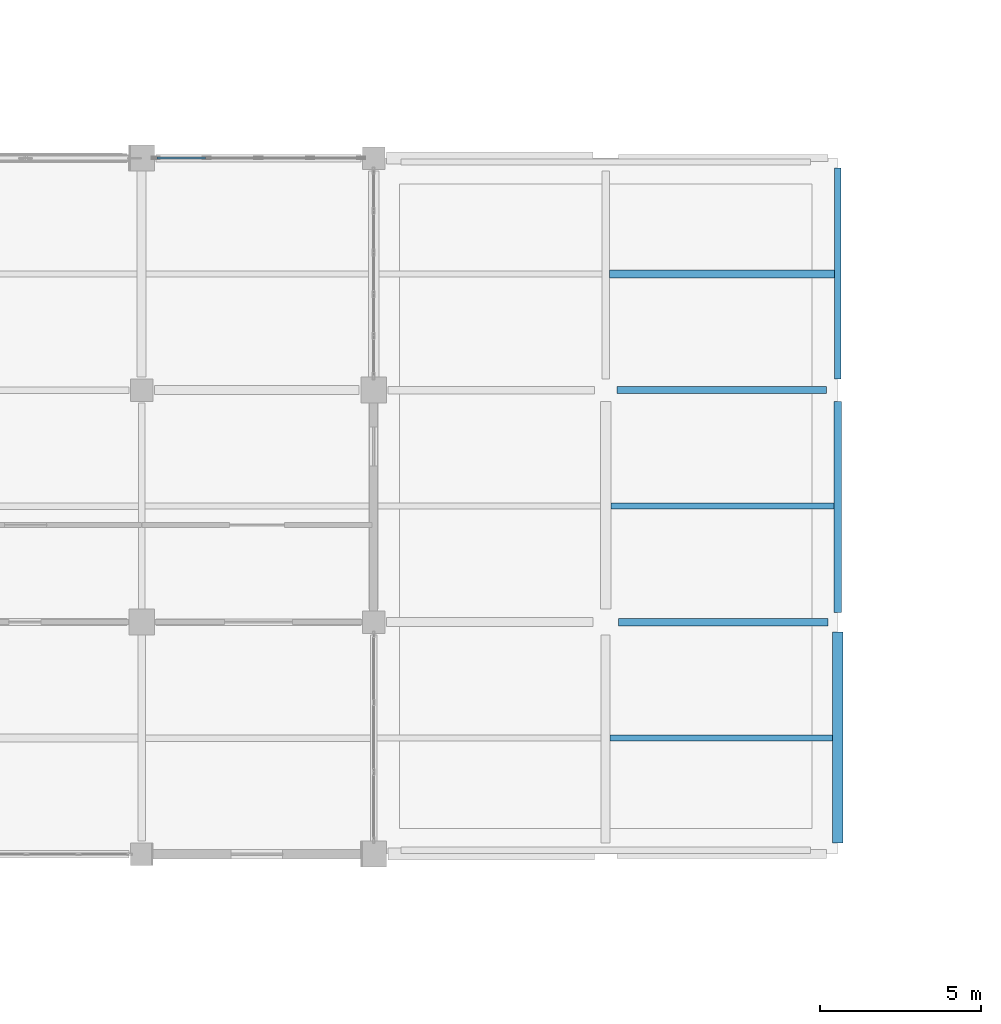
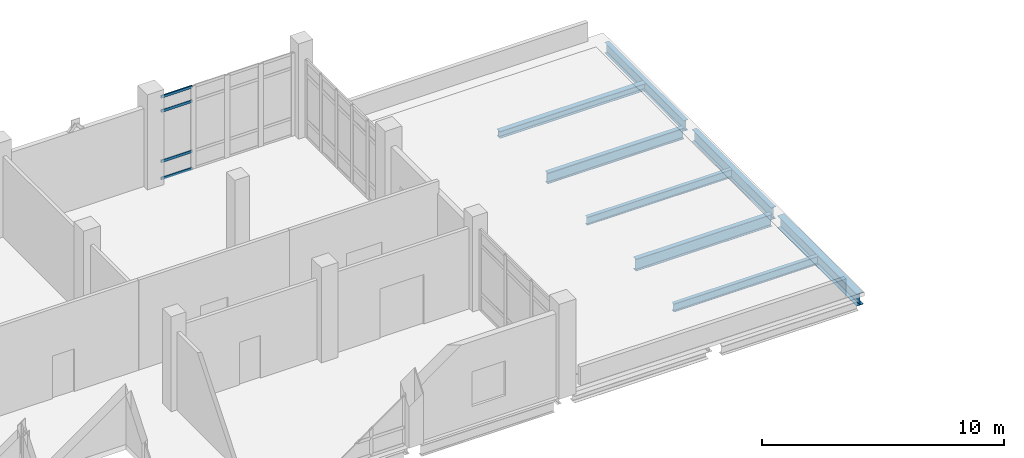
# One storey, part 93 of 153: 8 beams, 4 members, 1 element without a shape of its own.
"""IFC4 building model written with IfcOpenShell, lengths in metres."""

from ifc_helpers import new_model, si_unit, direction, frame, origin, origin_2d, place, context, subcontext, project, spatial, hollow_rectangle, i_section, extrude, material, layer, layer_set, material_profile, profile_set, type_object, element, aggregate, save


model = new_model("IFC4")

# Units and contexts
model_context = context("Model", 3, precision=1e-05, world=origin(), true_north=direction((0.0, 1.0)))
body_context = subcontext(model_context, "Body", "Model", "MODEL_VIEW")
ifc_project = project(units=[si_unit("LENGTHUNIT", "METRE"), si_unit("AREAUNIT", "SQUARE_METRE"), si_unit("VOLUMEUNIT", "CUBIC_METRE"), si_unit("PLANEANGLEUNIT", "RADIAN"), si_unit("MASSUNIT", "GRAM", prefix="KILO")], contexts=[model_context])

# Site, building, storey
site_placement = place(None, origin())
site = spatial("IfcSite", under=ifc_project, at=site_placement, CompositionType="ELEMENT")
building_placement = place(site_placement, origin())
building = spatial("IfcBuilding", under=site, at=building_placement, Name="Calvrana Isthmian Art Gallery", CompositionType="ELEMENT")
storey_placement = place(building_placement, frame((0.0, 0.0, 10.199951171875)))
storey = spatial("IfcBuildingStorey", under=building, at=storey_placement, Name="L02", CompositionType="ELEMENT", Elevation=10.199951171875)

# Beams
ifc_material_1 = material(Name="Steel ASTM A992 Gr 50", Category="steel")
ifc_material_profile_1 = material_profile(ifc_material_1, i_section(OverallWidth=0.208984375, OverallDepth=0.532958984375, WebThickness=0.01025390625, FlangeThickness=0.015625, FilletRadius=0.02099609375, at=origin_2d()), Name="W21X62")
ifc_profile_set_1 = profile_set([ifc_material_profile_1], Name="Steel ASTM A992 Gr 50")
beam_type_1 = type_object("IfcBeamType", Name="BM-G-W21X62", PredefinedType="BEAM", material=ifc_profile_set_1)
beam_1_placement = place(storey_placement, frame((148.800048828125, 91.550048828125, -0.531494140625), z_axis=(0.0, 1.0, 0.0), x_axis=(-1.0, 0.0, 0.0)))
element("IfcBeam", 1, at=beam_1_placement, inside=storey, type_object=beam_type_1, Name="Girder Y L02 20/M-N", PredefinedType="BEAM", context=body_context, shape_type="SweptSolid", body=[
    extrude(i_section(OverallWidth=0.208984375, OverallDepth=0.532958984375, WebThickness=0.01025390625, FlangeThickness=0.015625, FilletRadius=0.02099609375, at=origin_2d()), origin(), (0.0, 0.0, 1.0), 6.550048828125),
])
ifc_material_profile_2 = material_profile(ifc_material_1, i_section(OverallWidth=0.214111328125, OverallDepth=0.549072265625, WebThickness=0.0146484375, FlangeThickness=0.023681640625, FilletRadius=0.02099609375, at=origin_2d()), Name="W21X93")
ifc_profile_set_2 = profile_set([ifc_material_profile_2], Name="Steel ASTM A992 Gr 50")
beam_type_2 = type_object("IfcBeamType", Name="BM-G-W21X93", PredefinedType="BEAM", material=ifc_profile_set_2)
beam_2_placement = place(storey_placement, frame((141.949951171875, 91.199951171875, -0.53955078125), z_axis=(1.0, 0.0, 0.0), x_axis=(0.0, 1.0, 0.0)))
element("IfcBeam", 2, at=beam_2_placement, inside=storey, type_object=beam_type_2, Name="Girder X L02 19-20/M", PredefinedType="BEAM", context=body_context, shape_type="SweptSolid", body=[
    extrude(i_section(OverallWidth=0.214111328125, OverallDepth=0.549072265625, WebThickness=0.0146484375, FlangeThickness=0.023681640625, FilletRadius=0.02099609375, at=origin_2d()), origin(), (0.0, 0.0, 1.0), 6.5),
])
ifc_material_profile_3 = material_profile(ifc_material_1, i_section(OverallWidth=0.324951171875, OverallDepth=0.612060546875, WebThickness=0.0126953125, FlangeThickness=0.01904296875, FilletRadius=0.02197265625, at=origin_2d()), Name="W24X104")
ifc_profile_set_3 = profile_set([ifc_material_profile_3], Name="Steel ASTM A992 Gr 50")
beam_type_3 = type_object("IfcBeamType", Name="BM-G-W24X104", PredefinedType="BEAM", material=ifc_profile_set_3)
beam_3_placement = place(storey_placement, frame((148.800048828125, 77.14990234375, -0.571044921875), z_axis=(0.0, 1.0, 0.0), x_axis=(-1.0, 0.0, 0.0)))
element("IfcBeam", 3, at=beam_3_placement, inside=storey, type_object=beam_type_3, Name="Girder Y L02 20/K-L", PredefinedType="BEAM", context=body_context, shape_type="SweptSolid", body=[
    extrude(i_section(OverallWidth=0.324951171875, OverallDepth=0.612060546875, WebThickness=0.0126953125, FlangeThickness=0.01904296875, FilletRadius=0.02197265625, at=origin_2d()), origin(), (0.0, 0.0, 1.0), 6.550048828125),
])
ifc_material_profile_4 = material_profile(ifc_material_1, i_section(OverallWidth=0.22802734375, OverallDepth=0.60693359375, WebThickness=0.01123046875, FlangeThickness=0.017333984375, FilletRadius=0.02197265625, at=origin_2d()), Name="W24X76")
ifc_profile_set_4 = profile_set([ifc_material_profile_4], Name="Steel ASTM A992 Gr 50")
beam_type_4 = type_object("IfcBeamType", Name="BM-G-W24X76", PredefinedType="BEAM", material=ifc_profile_set_4)
beam_4_placement = place(storey_placement, frame((142.0, 84.0, -0.568359375), z_axis=(1.0, 0.0, 0.0), x_axis=(0.0, 1.0, 0.0)))
element("IfcBeam", 4, at=beam_4_placement, inside=storey, type_object=beam_type_4, Name="Girder X L02 19-20/L", PredefinedType="BEAM", context=body_context, shape_type="SweptSolid", body=[
    extrude(i_section(OverallWidth=0.22802734375, OverallDepth=0.60693359375, WebThickness=0.01123046875, FlangeThickness=0.017333984375, FilletRadius=0.02197265625, at=origin_2d()), origin(), (0.0, 0.0, 1.0), 6.5),
])
beam_5_placement = place(storey_placement, frame((148.800048828125, 84.300048828125, -0.568359375), z_axis=(0.0, 1.0, 0.0), x_axis=(-1.0, 0.0, 0.0)))
element("IfcBeam", 5, at=beam_5_placement, inside=storey, type_object=beam_type_4, Name="Girder Y L02 20/L-M", PredefinedType="BEAM", context=body_context, shape_type="SweptSolid", body=[
    extrude(i_section(OverallWidth=0.22802734375, OverallDepth=0.60693359375, WebThickness=0.01123046875, FlangeThickness=0.017333984375, FilletRadius=0.02197265625, at=origin_2d()), origin(), (0.0, 0.0, 1.0), 6.550048828125),
])
ifc_material_profile_5 = material_profile(ifc_material_1, i_section(OverallWidth=0.25390625, OverallDepth=0.35302734375, WebThickness=0.009521484375, FlangeThickness=0.016357421875, FilletRadius=0.01806640625, at=origin_2d()), Name="W14X61")
ifc_profile_set_5 = profile_set([ifc_material_profile_5], Name="Steel ASTM A992 Gr 50")
beam_type_5 = type_object("IfcBeamType", Name="BM-J-W14X61", PredefinedType="JOIST", material=ifc_profile_set_5)
beam_6_placement = place(storey_placement, frame((141.714111328125, 94.800048828125, -0.44140625), z_axis=(1.0, 0.0, 0.0), x_axis=(0.0, 1.0, 0.0)))
element("IfcBeam", 6, at=beam_6_placement, inside=storey, type_object=beam_type_5, Name="Composite joist L02 bay 18-12", PredefinedType="JOIST", context=body_context, shape_type="SweptSolid", body=[
    extrude(i_section(OverallWidth=0.25390625, OverallDepth=0.35302734375, WebThickness=0.009521484375, FlangeThickness=0.016357421875, FilletRadius=0.01806640625, at=origin_2d()), origin(), (0.0, 0.0, 1.0), 6.9814453125),
])
ifc_material_profile_6 = material_profile(ifc_material_1, i_section(OverallWidth=0.177978515625, OverallDepth=0.404052734375, WebThickness=0.007568359375, FlangeThickness=0.010986328125, FilletRadius=0.01806640625, at=origin_2d()), Name="W16X36")
ifc_profile_set_6 = profile_set([ifc_material_profile_6], Name="Steel ASTM A992 Gr 50")
beam_type_6 = type_object("IfcBeamType", Name="BM-J-W16X36", PredefinedType="JOIST", material=ifc_profile_set_6)
beam_7_placement = place(storey_placement, frame((141.762451171875, 87.60009765625, -0.467041015625), z_axis=(1.0, 0.0, 0.0), x_axis=(0.0, 1.0, 0.0)))
element("IfcBeam", 7, at=beam_7_placement, inside=storey, type_object=beam_type_6, Name="Composite joist L02 bay 18-11", PredefinedType="JOIST", context=body_context, shape_type="SweptSolid", body=[
    extrude(i_section(OverallWidth=0.177978515625, OverallDepth=0.404052734375, WebThickness=0.007568359375, FlangeThickness=0.010986328125, FilletRadius=0.01806640625, at=origin_2d()), origin(), (0.0, 0.0, 1.0), 6.923583984375),
])
ifc_material_profile_7 = material_profile(ifc_material_1, i_section(OverallWidth=0.179931640625, OverallDepth=0.4140625, WebThickness=0.009765625, FlangeThickness=0.01611328125, FilletRadius=0.01806640625, at=origin_2d()), Name="W16X50")
ifc_profile_set_7 = profile_set([ifc_material_profile_7], Name="Steel ASTM A992 Gr 50")
beam_type_7 = type_object("IfcBeamType", Name="BM-J-W16X50", PredefinedType="JOIST", material=ifc_profile_set_7)
beam_8_placement = place(storey_placement, frame((141.739501953125, 80.39990234375, -0.471923828125), z_axis=(1.0, 0.0, 0.0), x_axis=(0.0, 1.0, 0.0)))
element("IfcBeam", 8, at=beam_8_placement, inside=storey, type_object=beam_type_7, Name="Composite joist L02 bay 18-10", PredefinedType="JOIST", context=body_context, shape_type="SweptSolid", body=[
    extrude(i_section(OverallWidth=0.179931640625, OverallDepth=0.4140625, WebThickness=0.009765625, FlangeThickness=0.01611328125, FilletRadius=0.01806640625, at=origin_2d()), origin(), (0.0, 0.0, 1.0), 6.89794921875),
])

# Curtain wall, members
ifc_material_2 = material(Name="Anodized bronze aluminium 6063-T6", Category="aluminium")
ifc_layer = layer(ifc_material_2, 0.179931640625, Name="Anodized bronze aluminium 6063-T6")
ifc_layer_set = layer_set([ifc_layer], Name="Anodized bronze aluminium 6063-T6")
curtain_wall_type = type_object("IfcCurtainWallType", Name="CW-STICK-065X42", PredefinedType="NOTDEFINED", material=ifc_layer_set)
curtain_wall_placement = place(storey_placement, origin())
curtain_wall = element("IfcCurtainWall", 9, at=curtain_wall_placement, inside=storey, type_object=curtain_wall_type, Name="Curtain wall CW-161", PredefinedType="NOTDEFINED")
ifc_material_profile_8 = material_profile(ifc_material_2, hollow_rectangle(XDim=0.06005859375, YDim=0.1298828125, WallThickness=0.00390625, at=origin_2d()), Name="CWT60X130")
ifc_profile_set_8 = profile_set([ifc_material_profile_8], Name="Anodized bronze aluminium 6063-T6")
member_type = type_object("IfcMemberType", Name="CWT-CWT60X130", PredefinedType="USERDEFINED", material=ifc_profile_set_8)
member_1_placement = place(storey_placement, frame((127.679931640625, 98.39990234375, 0.030029296875), z_axis=(1.0, 0.0, 0.0), x_axis=(0.0, 1.0, 0.0)))
member_1 = element("IfcMember", 10, at=member_1_placement, type_object=member_type, Name="CW-161 transom 1.1", ObjectType="TRANSOM", PredefinedType="USERDEFINED", context=body_context, shape_type="SweptSolid", body=[
    extrude(hollow_rectangle(XDim=0.06005859375, YDim=0.1298828125, WallThickness=0.00390625, at=origin_2d()), origin(), (0.0, 0.0, 1.0), 1.49267578125),
])
member_2_placement = place(storey_placement, frame((127.679931640625, 98.39990234375, 0.900146484375), z_axis=(1.0, 0.0, 0.0), x_axis=(0.0, 1.0, 0.0)))
member_2 = element("IfcMember", 11, at=member_2_placement, type_object=member_type, Name="CW-161 transom 1.2", ObjectType="TRANSOM", PredefinedType="USERDEFINED", context=body_context, shape_type="SweptSolid", body=[
    extrude(hollow_rectangle(XDim=0.06005859375, YDim=0.1298828125, WallThickness=0.00390625, at=origin_2d()), origin(), (0.0, 0.0, 1.0), 1.49267578125),
])
member_3_placement = place(storey_placement, frame((127.679931640625, 98.39990234375, 3.43408203125), z_axis=(1.0, 0.0, 0.0), x_axis=(0.0, 1.0, 0.0)))
member_3 = element("IfcMember", 12, at=member_3_placement, type_object=member_type, Name="CW-161 transom 1.3", ObjectType="TRANSOM", PredefinedType="USERDEFINED", context=body_context, shape_type="SweptSolid", body=[
    extrude(hollow_rectangle(XDim=0.06005859375, YDim=0.1298828125, WallThickness=0.00390625, at=origin_2d()), origin(), (0.0, 0.0, 1.0), 1.49267578125),
])
member_4_placement = place(storey_placement, frame((127.679931640625, 98.39990234375, 4.154052734375), z_axis=(1.0, 0.0, 0.0), x_axis=(0.0, 1.0, 0.0)))
member_4 = element("IfcMember", 13, at=member_4_placement, type_object=member_type, Name="CW-161 transom 1.4", ObjectType="TRANSOM", PredefinedType="USERDEFINED", context=body_context, shape_type="SweptSolid", body=[
    extrude(hollow_rectangle(XDim=0.06005859375, YDim=0.1298828125, WallThickness=0.00390625, at=origin_2d()), origin(), (0.0, 0.0, 1.0), 1.49267578125),
])
aggregate(curtain_wall, [member_1, member_2, member_3, member_4])

save(model, "model.ifc")
